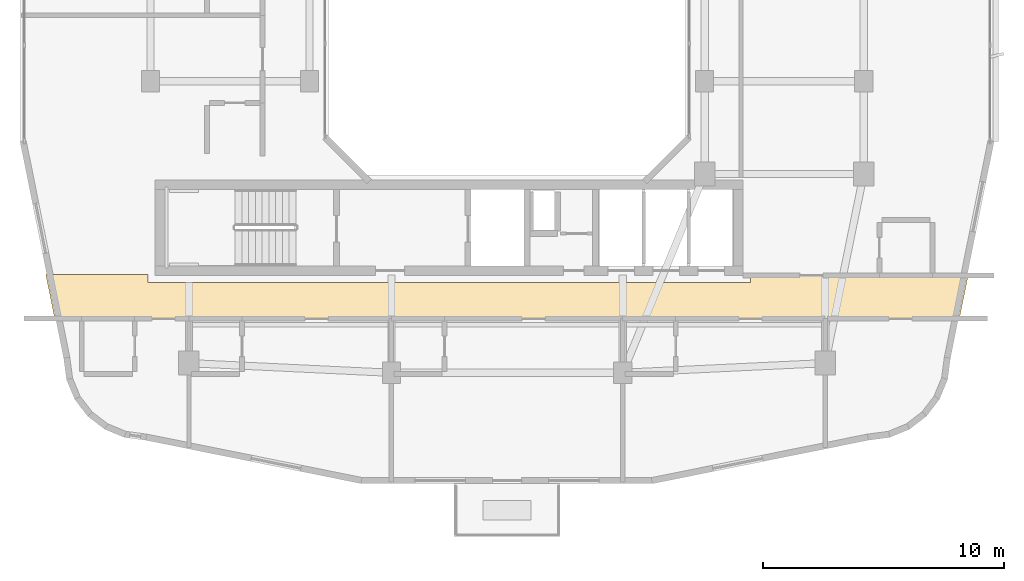
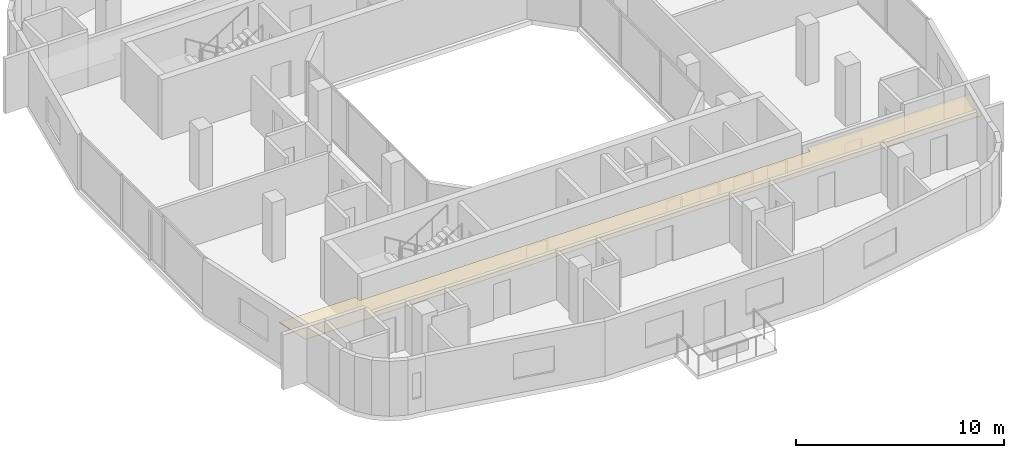
# One storey, part 11 of 13: 1 covering.
"""IFC4 building model written with IfcOpenShell, lengths in metres."""

from ifc_helpers import new_model, si_unit, derived_unit, direction, frame, origin, place, context, subcontext, project, spatial, polyline, outline, extrude, material, layer, layer_set, type_object, element, save


model = new_model("IFC4")

# Units and contexts
model_context = context("Model", 3, precision=1e-05, world=origin(), true_north=direction((0.0, 1.0)))
body_context = subcontext(model_context, "Body", "Model", "MODEL_VIEW")
ifc_project = project(units=[si_unit("LENGTHUNIT", "METRE"), si_unit("AREAUNIT", "SQUARE_METRE"), si_unit("VOLUMEUNIT", "CUBIC_METRE"), si_unit("PLANEANGLEUNIT", "RADIAN"), si_unit("MASSUNIT", "GRAM", prefix="KILO"), derived_unit("THERMALTRANSMITTANCEUNIT", [(si_unit("POWERUNIT", "WATT"), 1), (si_unit("LENGTHUNIT", "METRE"), -2), (si_unit("THERMODYNAMICTEMPERATUREUNIT", "KELVIN"), -1)])], contexts=[model_context])

# Site, building, storey
site_placement = place(None, origin())
site = spatial("IfcSite", under=ifc_project, at=site_placement, CompositionType="ELEMENT")
building_placement = place(site_placement, origin())
building = spatial("IfcBuilding", under=site, at=building_placement, Name="Kivonza Crest Hotel", CompositionType="ELEMENT")
storey_placement = place(building_placement, frame((0.0, 0.0, 155.5)))
storey = spatial("IfcBuildingStorey", under=building, at=storey_placement, Name="L42", CompositionType="ELEMENT", Elevation=155.5)

# Covering
ifc_material = material(Name="Moisture-resistant gypsum plasterboard ceiling", Category="gypsum")
ifc_layer = layer(ifc_material, 0.030029296875)
ifc_layer_set = layer_set([ifc_layer], Name="Moisture-resistant gypsum plasterboard ceiling")
covering_type = type_object("IfcCoveringType", Name="CV-CEIL-GYP", PredefinedType="CEILING", material=ifc_layer_set)
covering_placement = place(storey_placement, frame((0.0, 0.0, 2.449951171875)))
element("IfcCovering", 1, at=covering_placement, inside=storey, type_object=covering_type, Name="L42 Hotel South Guest Corridor suspended ceiling", PredefinedType="CEILING", context=body_context, shape_type="SweptSolid", body=[
    extrude(outline(polyline([(1.85791015625, 13.47998046875), (2.235107421875, 11.610107421875), (39.764892578125, 11.610107421875), (40.14208984375, 13.47998046875), (31.10009765625, 13.47998046875), (31.10009765625, 13.139892578125), (6.10009765625, 13.139892578125), (6.10009765625, 13.47998046875), (1.85791015625, 13.47998046875)])), origin(), (0.0, 0.0, 1.0), 0.030029296875),
])

save(model, "model.ifc")
